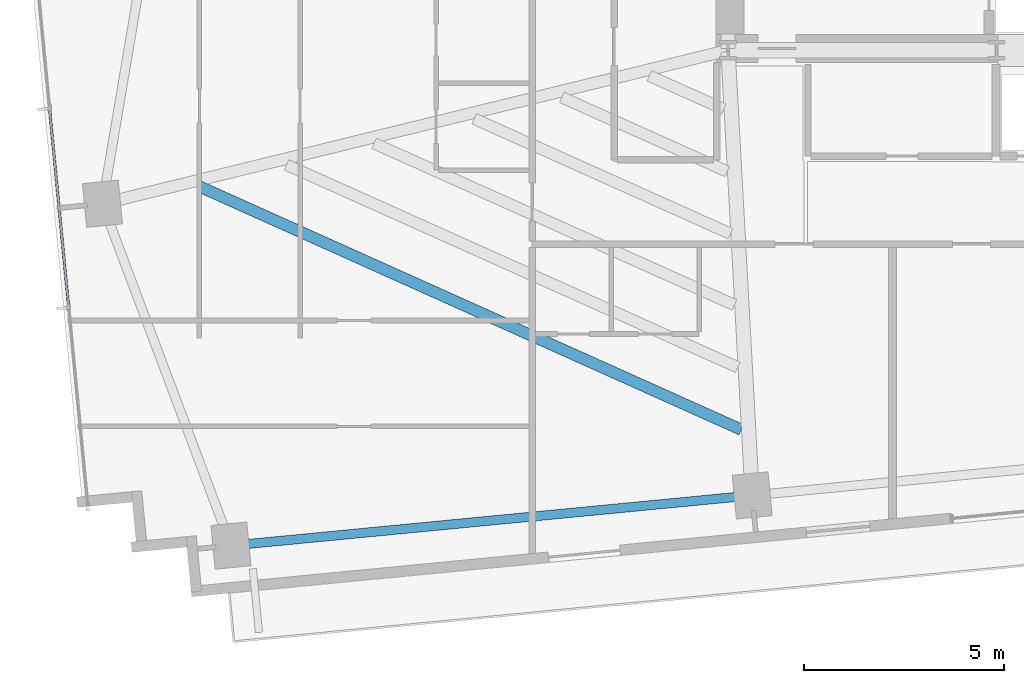
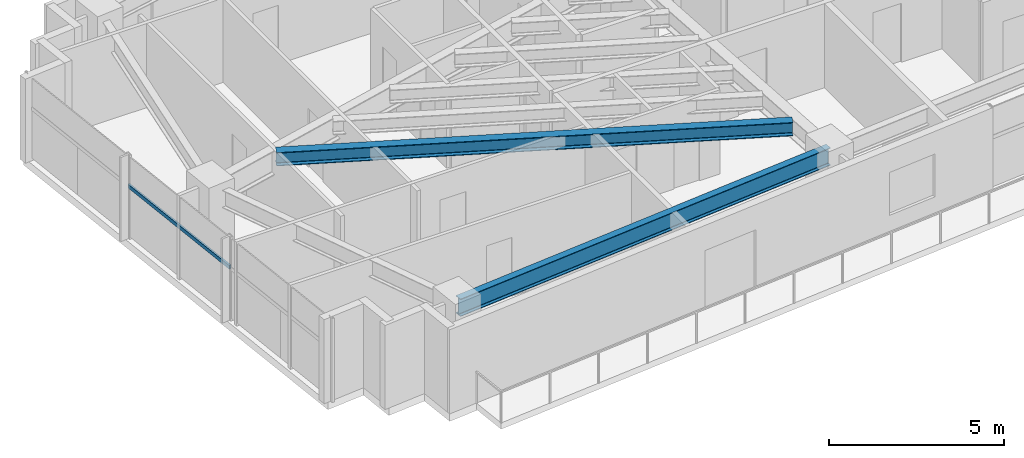
# One storey, part 3 of 25: 2 beams, 1 member, 1 element without a shape of its own.
"""IFC4 building model written with IfcOpenShell, lengths in metres."""

from ifc_helpers import new_model, si_unit, direction, frame, origin, origin_2d, place, context, subcontext, project, spatial, hollow_rectangle, i_section, extrude, source, transform, mapped, material, material_profile, profile_set, type_object, type_shapes, element, aggregate, save


model = new_model("IFC4")

# Units and contexts
model_context = context("Model", 3, precision=1e-05, world=origin(), true_north=direction((0.0, 1.0)))
body_context = subcontext(model_context, "Body", "Model", "MODEL_VIEW")
ifc_project = project(units=[si_unit("LENGTHUNIT", "METRE"), si_unit("AREAUNIT", "SQUARE_METRE"), si_unit("VOLUMEUNIT", "CUBIC_METRE"), si_unit("PLANEANGLEUNIT", "RADIAN"), si_unit("MASSUNIT", "GRAM", prefix="KILO")], contexts=[model_context])

# Site, building, storey
site_placement = place(None, origin())
site = spatial("IfcSite", under=ifc_project, at=site_placement, CompositionType="ELEMENT")
building_placement = place(site_placement, origin())
building = spatial("IfcBuilding", under=site, at=building_placement, Name="Astriad Promenade Condominiums", CompositionType="ELEMENT")
storey_placement = place(building_placement, frame((0.0, 0.0, 106.60009765625)))
storey = spatial("IfcBuildingStorey", under=building, at=storey_placement, Name="L30", CompositionType="ELEMENT", Elevation=106.60009765625)

# Beams
ifc_material_1 = material(Name="Steel ASTM A992 Grade 50", Category="steel")
ifc_material_profile_1 = material_profile(ifc_material_1, i_section(OverallWidth=0.22900390625, OverallDepth=0.612060546875, WebThickness=0.011962890625, FlangeThickness=0.01953125, FilletRadius=0.017822265625, at=origin_2d()), Name="W24X84")
ifc_profile_set_1 = profile_set([ifc_material_profile_1], Name="Steel ASTM A992 Grade 50")
beam_type_1 = type_object("IfcBeamType", Name="STEEL SPANDREL BEAM W24X84", PredefinedType="SPANDREL", material=ifc_profile_set_1)
shared_shape_1 = source(origin(), body_context, "Body", "SweptSolid", [
    extrude(i_section(OverallWidth=0.22900390625, OverallDepth=0.612060546875, WebThickness=0.011962890625, FlangeThickness=0.01953125, FilletRadius=0.017822265625, at=origin_2d()), origin(), (0.0, 0.0, 1.0), 13.02001953125),
])
type_shapes(beam_type_1, [shared_shape_1])
beam_1_placement = place(storey_placement, frame((14.005859375, 5.01318359375, 2.6337890625), z_axis=(0.995395138946, 0.095856754395, 0.0), x_axis=(-0.095856754395, 0.995395138946, 0.0)))
element("IfcBeam", 1, at=beam_1_placement, inside=storey, type_object=beam_type_1, Name="Perimeter Spandrel Beam SP-S1-L30", PredefinedType="SPANDREL", context=body_context, shape_type="MappedRepresentation", body=[
    mapped(shared_shape_1, transform((0.0, 0.0, 0.0), scale=1.0)),
])
ifc_material_profile_2 = material_profile(ifc_material_1, i_section(OverallWidth=0.283203125, OverallDepth=0.47216796875, WebThickness=0.013671875, FlangeThickness=0.022216796875, FilletRadius=0.01513671875, at=origin_2d()), Name="W18X97")
ifc_profile_set_2 = profile_set([ifc_material_profile_2], Name="Steel ASTM A992 Grade 50")
beam_type_2 = type_object("IfcBeamType", Name="STEEL FLOOR JOIST W18X97", PredefinedType="JOIST", material=ifc_profile_set_2)
shared_shape_2 = source(origin(), body_context, "Body", "SweptSolid", [
    extrude(i_section(OverallWidth=0.283203125, OverallDepth=0.47216796875, WebThickness=0.013671875, FlangeThickness=0.022216796875, FilletRadius=0.01513671875, at=origin_2d()), origin(), (0.0, 0.0, 1.0), 14.863037109375),
])
type_shapes(beam_type_2, [shared_shape_2])
beam_2_placement = place(storey_placement, frame((13.168212890625, 13.996826171875, 2.703857421875), z_axis=(0.912311114602, -0.409497777984, 0.0), x_axis=(0.409497777984, 0.912311114602, 0.0)))
element("IfcBeam", 2, at=beam_2_placement, inside=storey, type_object=beam_type_2, Name="Secondary Composite Floor Joist JW1-1-L30", PredefinedType="JOIST", context=body_context, shape_type="MappedRepresentation", body=[
    mapped(shared_shape_2, transform((0.0, 0.0, 0.0), scale=1.0)),
])

# Curtain wall, member
ifc_material_2 = material(Name="Anodised aluminium Black Dark Glass Unitised", Category="aluminium")
curtain_wall_type = type_object("IfcCurtainWallType", Name="CW-B2-DARK", PredefinedType="USERDEFINED", material=ifc_material_2)
curtain_wall_placement = place(storey_placement, origin())
curtain_wall = element("IfcCurtainWall", 3, at=curtain_wall_placement, inside=storey, type_object=curtain_wall_type, Name="CW-L30-W", ObjectType="UNITISED_CURTAIN_WALL", PredefinedType="USERDEFINED")
ifc_material_3 = material(Name="Anodised aluminium 6063-T6 Black", Category="aluminium")
ifc_material_profile_3 = material_profile(ifc_material_3, hollow_rectangle(XDim=0.06494140625, YDim=0.1298828125, WallThickness=0.00390625, at=origin_2d()), Name="ALU-TRN-65X130")
ifc_profile_set_3 = profile_set([ifc_material_profile_3], Name="Anodised aluminium 6063-T6 Black")
member_type = type_object("IfcMemberType", Name="TRN-ALU-TRN-65X130", PredefinedType="USERDEFINED", material=ifc_profile_set_3)
shared_shape_3 = source(origin(), body_context, "Body", "SweptSolid", [
    extrude(hollow_rectangle(XDim=0.06494140625, YDim=0.1298828125, WallThickness=0.00390625, at=origin_2d()), origin(), (0.0, 0.0, 1.0), 5.0),
])
type_shapes(member_type, [shared_shape_3])
member_placement = place(storey_placement, frame((9.90625, 10.9677734375, 1.82275390625), z_axis=(-0.095848242264, 0.995395958629, 0.0), x_axis=(-0.995395958629, -0.095848242264, 0.0)))
member = element("IfcMember", 4, at=member_placement, type_object=member_type, Name="CW-L30-W-TRN-01-0", ObjectType="TRANSOM", PredefinedType="USERDEFINED", context=body_context, shape_type="MappedRepresentation", body=[
    mapped(shared_shape_3, transform((0.0, 0.0, 0.0), scale=1.0)),
])
aggregate(curtain_wall, [member])

save(model, "model.ifc")
